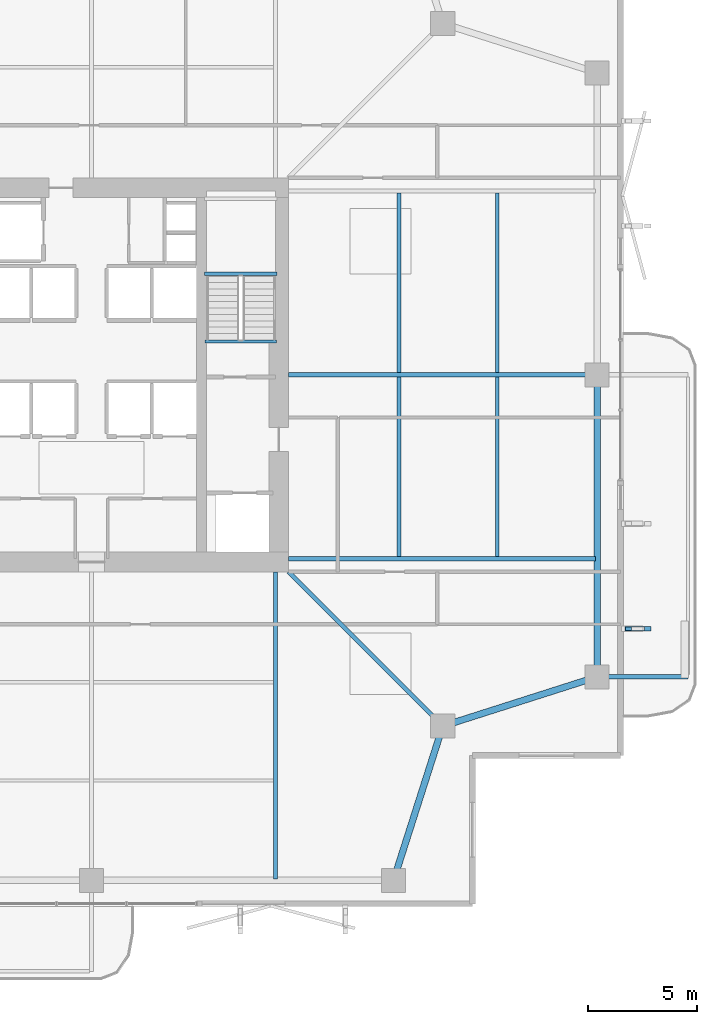
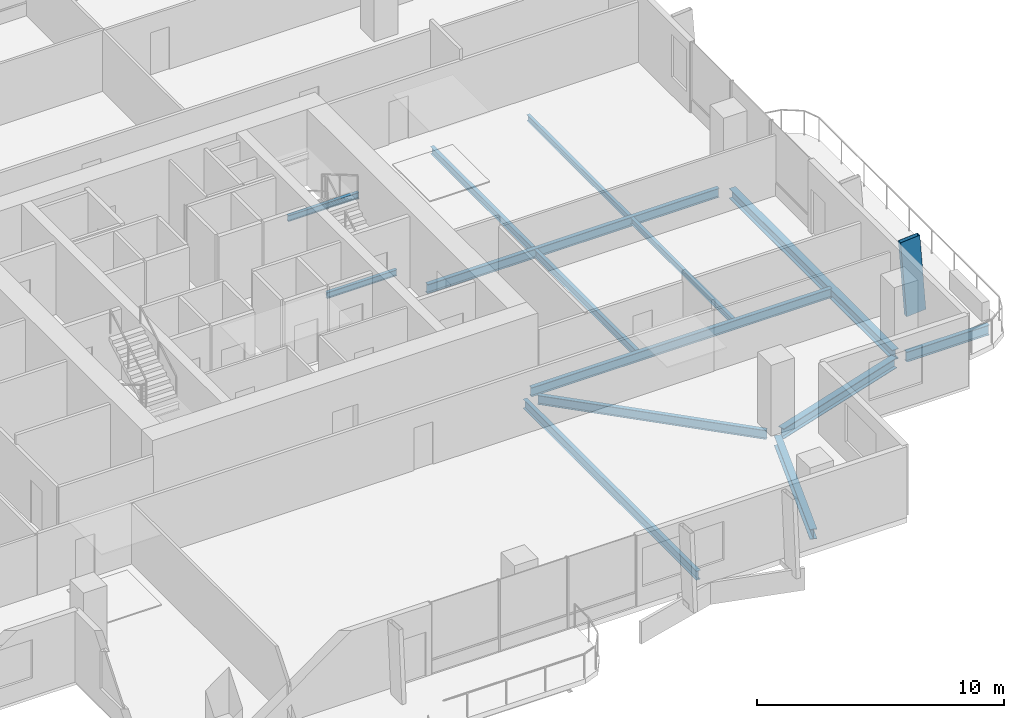
# One storey, part 9 of 25: 14 beams, 1 member.
"""IFC4 building model written with IfcOpenShell, lengths in metres."""

from ifc_helpers import new_model, si_unit, direction, frame, origin, origin_2d, place, context, subcontext, project, spatial, hollow_rectangle, i_section, extrude, material, material_profile, profile_set, type_object, element, save


model = new_model("IFC4")

# Units and contexts
model_context = context("Model", 3, precision=1e-05, world=origin(), true_north=direction((0.0, 1.0)))
body_context = subcontext(model_context, "Body", "Model", "MODEL_VIEW")
ifc_project = project(units=[si_unit("LENGTHUNIT", "METRE"), si_unit("AREAUNIT", "SQUARE_METRE"), si_unit("VOLUMEUNIT", "CUBIC_METRE"), si_unit("PLANEANGLEUNIT", "RADIAN"), si_unit("MASSUNIT", "GRAM", prefix="KILO")], contexts=[model_context])

# Site, building, storey
site_placement = place(None, origin())
site = spatial("IfcSite", under=ifc_project, at=site_placement, CompositionType="ELEMENT")
building_placement = place(site_placement, origin())
building = spatial("IfcBuilding", under=site, at=building_placement, Name="Belovzor Exchange Tower", CompositionType="ELEMENT")
storey_placement = place(building_placement, frame((0.0, 0.0, 183.300048828125)))
storey = spatial("IfcBuildingStorey", under=building, at=storey_placement, Name="L45", CompositionType="ELEMENT", Elevation=183.300048828125)

# Beams
ifc_material_1 = material(Name="Steel S355", Category="steel")
ifc_material_profile_1 = material_profile(ifc_material_1, i_section(OverallWidth=0.199951171875, OverallDepth=0.5, WebThickness=0.01025390625, FlangeThickness=0.01611328125, at=origin_2d()))
ifc_profile_set_1 = profile_set([ifc_material_profile_1], Name="Steel S355")
beam_type_1 = type_object("IfcBeamType", Name="Planted Balcony Cantilever Beam IPE 500", PredefinedType="BEAM", material=ifc_profile_set_1)
beam_1_placement = place(storey_placement, frame((52.202880859375, 15.0, -0.505126953125), z_axis=(1.0, 0.0, 0.0), x_axis=(0.0, 1.0, 0.0)))
element("IfcBeam", 1, at=beam_1_placement, inside=storey, type_object=beam_type_1, Name="BC-500 Planted Balcony Cantilever Beam IPE 500", PredefinedType="BEAM", context=body_context, shape_type="SweptSolid", body=[
    extrude(i_section(OverallWidth=0.199951171875, OverallDepth=0.5, WebThickness=0.01025390625, FlangeThickness=0.01611328125, at=origin_2d()), origin(), (0.0, 0.0, 1.0), 3.85009765625),
])
ifc_material_2 = material(Name="Steel S355", Category="steel")
ifc_material_profile_2 = material_profile(ifc_material_2, i_section(OverallWidth=0.169921875, OverallDepth=0.360107421875, WebThickness=0.008056640625, FlangeThickness=0.0126953125, at=origin_2d()))
ifc_profile_set_2 = profile_set([ifc_material_profile_2], Name="Steel S355")
beam_type_2 = type_object("IfcBeamType", Name="Secondary Infill Floor Joist IPE 360", PredefinedType="BEAM", material=ifc_profile_set_2)
for number, where, z_axis, x_axis, name in (
    (2, (42.84912109375, 20.4951171875, -0.43505859375), (0.0, 1.0, 0.0), (-1.0, 0.0, 0.0), "FJ-360 Secondary Infill Floor Joist IPE 360"),
    (3, (42.84912109375, 28.89501953125, -0.43505859375), (0.0, 1.0, 0.0), (-1.0, 0.0, 0.0), "FJ-360 Secondary Infill Floor Joist IPE 360"),
):
    element("IfcBeam", number, at=place(storey_placement, frame(where, z_axis=z_axis, x_axis=x_axis)), inside=storey, type_object=beam_type_2, Name=name, PredefinedType="BEAM", context=body_context, shape_type="SweptSolid", body=[
        extrude(i_section(OverallWidth=0.169921875, OverallDepth=0.360107421875, WebThickness=0.008056640625, FlangeThickness=0.0126953125, at=origin_2d()), origin(), (0.0, 0.0, 1.0), 8.2099609375),
    ])
ifc_material_3 = material(Name="Steel S355", Category="steel")
ifc_material_profile_3 = material_profile(ifc_material_3, i_section(OverallWidth=0.14990234375, OverallDepth=0.300048828125, WebThickness=0.007080078125, FlangeThickness=0.0107421875, at=origin_2d()))
ifc_profile_set_3 = profile_set([ifc_material_profile_3], Name="Steel S355")
beam_type_3 = type_object("IfcBeamType", Name="Secondary Trim Floor Joist IPE 300", PredefinedType="BEAM", material=ifc_profile_set_3)
beam_2_placement = place(storey_placement, frame((37.280029296875, 33.419921875, 1.52490234375), z_axis=(-1.0, 0.0, 0.0), x_axis=(0.0, -1.0, 0.0)))
element("IfcBeam", 4, at=beam_2_placement, inside=storey, type_object=beam_type_3, Name="FJ-300 Secondary Trim Floor Joist IPE 300", PredefinedType="BEAM", context=body_context, shape_type="SweptSolid", body=[
    extrude(i_section(OverallWidth=0.14990234375, OverallDepth=0.300048828125, WebThickness=0.007080078125, FlangeThickness=0.0107421875, at=origin_2d()), origin(), (0.0, 0.0, 1.0), 3.31005859375),
])
beam_3_placement = place(storey_placement, frame((37.260009765625, 30.320068359375, -0.405029296875), z_axis=(-1.0, 0.0, 0.0), x_axis=(0.0, -1.0, 0.0)))
element("IfcBeam", 5, at=beam_3_placement, inside=storey, type_object=beam_type_3, Name="FJ-300 Secondary Trim Floor Joist IPE 300", PredefinedType="BEAM", context=body_context, shape_type="SweptSolid", body=[
    extrude(i_section(OverallWidth=0.14990234375, OverallDepth=0.300048828125, WebThickness=0.007080078125, FlangeThickness=0.0107421875, at=origin_2d()), origin(), (0.0, 0.0, 1.0), 3.27001953125),
])
for number, where, z_axis, x_axis, name in (
    (6, (47.3369140625, 20.4951171875, -0.405029296875), (0.0, 1.0, 0.0), (-1.0, 0.0, 0.0), "FJ-300 Secondary Trim Floor Joist IPE 300"),
    (7, (47.3369140625, 28.89501953125, -0.405029296875), (0.0, 1.0, 0.0), (-1.0, 0.0, 0.0), "FJ-300 Secondary Trim Floor Joist IPE 300"),
):
    element("IfcBeam", number, at=place(storey_placement, frame(where, z_axis=z_axis, x_axis=x_axis)), inside=storey, type_object=beam_type_3, Name=name, PredefinedType="BEAM", context=body_context, shape_type="SweptSolid", body=[
        extrude(i_section(OverallWidth=0.14990234375, OverallDepth=0.300048828125, WebThickness=0.007080078125, FlangeThickness=0.0107421875, at=origin_2d()), origin(), (0.0, 0.0, 1.0), 8.2099609375),
    ])

# Member
ifc_material_4 = material(Name="Extruded Architectural Terracotta on Steel S355 Carrier", Category="masonry")
ifc_material_profile_4 = material_profile(ifc_material_4, hollow_rectangle(XDim=0.199951171875, YDim=0.89990234375, WallThickness=0.011962890625, at=origin_2d()))
ifc_profile_set_4 = profile_set([ifc_material_profile_4], Name="Extruded Architectural Terracotta on Steel S355 Carrier")
member_type = type_object("IfcMemberType", Name="Sweeping Terracotta Baguette Fin Assembly 1250", PredefinedType="USERDEFINED", material=ifc_profile_set_4)
member_placement = place(storey_placement, frame((53.910888671875, 17.199951171875, -0.255126953125), z_axis=(-0.076016392655, 0.0, 0.99710656805), x_axis=(0.0, -1.0, 0.0)))
element("IfcMember", 8, at=member_placement, inside=storey, type_object=member_type, Name="FIN-TC125 Terracotta Facade Fin L45 E1", ObjectType="FIN", PredefinedType="USERDEFINED", context=body_context, shape_type="SweptSolid", body=[
    extrude(hollow_rectangle(XDim=0.199951171875, YDim=0.89990234375, WallThickness=0.011962890625, at=origin_2d()), origin(), (0.0, 0.0, 1.0), 3.760986328125),
])

# Beams
ifc_material_5 = material(Name="Steel S355", Category="steel")
ifc_material_profile_5 = material_profile(ifc_material_5, i_section(OverallWidth=0.18994140625, OverallDepth=0.449951171875, WebThickness=0.009521484375, FlangeThickness=0.0146484375, at=origin_2d()))
ifc_profile_set_5 = profile_set([ifc_material_profile_5], Name="Steel S355")
beam_type_4 = type_object("IfcBeamType", Name="Zone 2-4 Radial Composite Floor Beam IPE 450", PredefinedType="BEAM", material=ifc_profile_set_5)
beam_4_placement = place(storey_placement, frame((37.199951171875, 19.800048828125, -0.47998046875), z_axis=(0.0, -1.0, 0.0), x_axis=(1.0, 0.0, 0.0)))
element("IfcBeam", 9, at=beam_4_placement, inside=storey, type_object=beam_type_4, Name="FB-450 Zone 2-4 Radial Composite Floor Beam IPE 450", PredefinedType="BEAM", context=body_context, shape_type="SweptSolid", body=[
    extrude(i_section(OverallWidth=0.18994140625, OverallDepth=0.449951171875, WebThickness=0.009521484375, FlangeThickness=0.0146484375, at=origin_2d()), origin(), (0.0, 0.0, 1.0), 14.025146484375),
])
beam_5_placement = place(storey_placement, frame((37.800048828125, 20.39990234375, -0.47998046875), z_axis=(1.0, 0.0, 0.0), x_axis=(0.0, 1.0, 0.0)))
element("IfcBeam", 10, at=beam_5_placement, inside=storey, type_object=beam_type_4, Name="FB-450 Zone 2-4 Radial Composite Floor Beam IPE 450", PredefinedType="BEAM", context=body_context, shape_type="SweptSolid", body=[
    extrude(i_section(OverallWidth=0.18994140625, OverallDepth=0.449951171875, WebThickness=0.009521484375, FlangeThickness=0.0146484375, at=origin_2d()), origin(), (0.0, 0.0, 1.0), 14.02490234375),
])
beam_6_placement = place(storey_placement, frame((37.800048828125, 28.800048828125, -0.47998046875), z_axis=(1.0, 0.0, 0.0), x_axis=(0.0, 1.0, 0.0)))
element("IfcBeam", 11, at=beam_6_placement, inside=storey, type_object=beam_type_4, Name="FB-450 Zone 2-4 Radial Composite Floor Beam IPE 450", PredefinedType="BEAM", context=body_context, shape_type="SweptSolid", body=[
    extrude(i_section(OverallWidth=0.18994140625, OverallDepth=0.449951171875, WebThickness=0.009521484375, FlangeThickness=0.0146484375, at=origin_2d()), origin(), (0.0, 0.0, 1.0), 13.615966796875),
])
beam_7_placement = place(storey_placement, frame((37.800048828125, 19.800048828125, -0.47998046875), z_axis=(0.707094040639, -0.707119521505, 0.0), x_axis=(0.707119521505, 0.707094040639, 0.0)))
element("IfcBeam", 12, at=beam_7_placement, inside=storey, type_object=beam_type_4, Name="FB-450 Zone 2-4 Radial Composite Floor Beam IPE 450", PredefinedType="BEAM", context=body_context, shape_type="SweptSolid", body=[
    extrude(i_section(OverallWidth=0.18994140625, OverallDepth=0.449951171875, WebThickness=0.009521484375, FlangeThickness=0.0146484375, at=origin_2d()), origin(), (0.0, 0.0, 1.0), 9.581298828125),
])
ifc_material_6 = material(Name="Steel S355", Category="steel")
ifc_material_profile_6 = material_profile(ifc_material_6, i_section(OverallWidth=0.300048828125, OverallDepth=0.5, WebThickness=0.014404296875, FlangeThickness=0.028076171875, at=origin_2d()))
ifc_profile_set_6 = profile_set([ifc_material_profile_6], Name="Steel S355")
beam_type_5 = type_object("IfcBeamType", Name="Zone 3 Waist Primary Girder HEB 500", PredefinedType="BEAM", material=ifc_profile_set_6)
for number, where, z_axis, x_axis, name in (
    (13, (42.69189453125, 5.988037109375, -0.505126953125), (0.304044336164, 0.952657882792, 0.0), (-0.952657882792, 0.304044336164, 0.0), "FG-Z3 Zone 3 Waist Primary Girder HEB 500"),
    (14, (45.137939453125, 12.842041015625, -0.505126953125), (0.952671608699, 0.304001325621, 0.0), (-0.304001325621, 0.952671608699, 0.0), "FG-Z3 Zone 3 Waist Primary Girder HEB 500"),
):
    element("IfcBeam", number, at=place(storey_placement, frame(where, z_axis=z_axis, x_axis=x_axis)), inside=storey, type_object=beam_type_5, Name=name, PredefinedType="BEAM", context=body_context, shape_type="SweptSolid", body=[
        extrude(i_section(OverallWidth=0.300048828125, OverallDepth=0.5, WebThickness=0.014404296875, FlangeThickness=0.028076171875, at=origin_2d()), origin(), (0.0, 0.0, 1.0), 6.795654296875),
    ])
beam_8_placement = place(storey_placement, frame((51.89990234375, 15.302978515625, -0.505126953125), z_axis=(0.0, 1.0, 0.0), x_axis=(-1.0, 0.0, 0.0)))
element("IfcBeam", 15, at=beam_8_placement, inside=storey, type_object=beam_type_5, Name="FG-Z3 Zone 3 Waist Primary Girder HEB 500", PredefinedType="BEAM", context=body_context, shape_type="SweptSolid", body=[
    extrude(i_section(OverallWidth=0.300048828125, OverallDepth=0.5, WebThickness=0.014404296875, FlangeThickness=0.028076171875, at=origin_2d()), origin(), (0.0, 0.0, 1.0), 13.195068359375),
])

save(model, "model.ifc")
